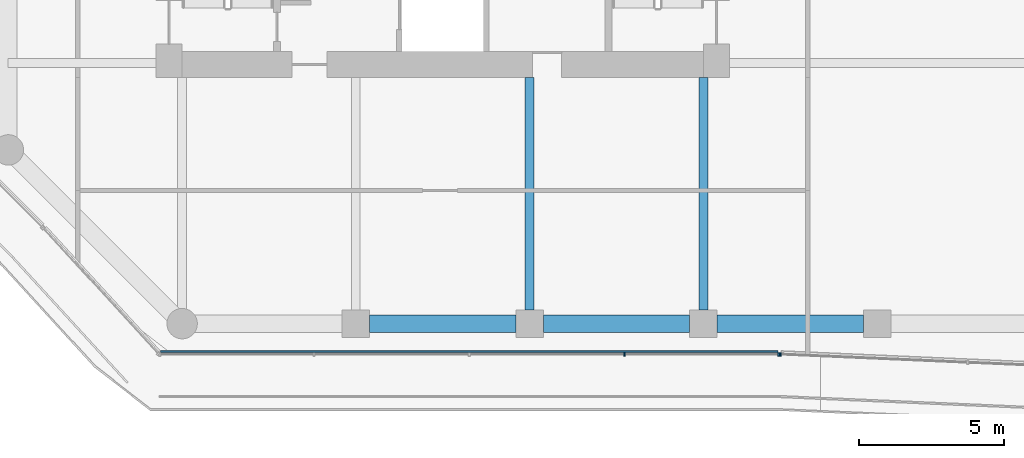
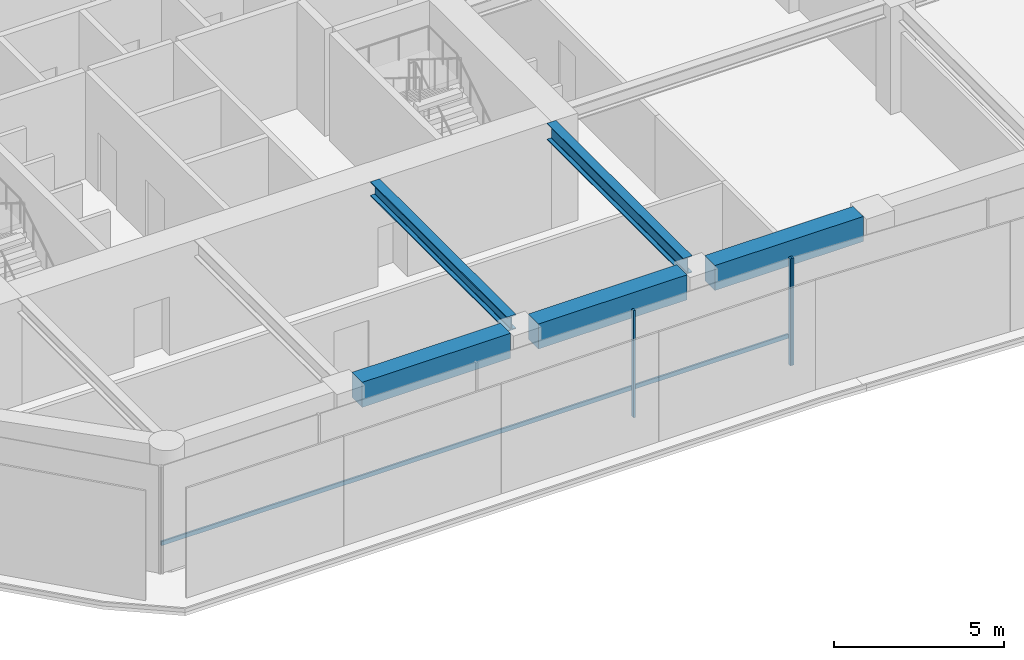
# One storey, part 3 of 29: 5 beams, 4 members, 2 elements without a shape of their own.
"""IFC4 building model written with IfcOpenShell, lengths in metres."""

from ifc_helpers import new_model, si_unit, direction, frame, origin, origin_2d, place, context, subcontext, project, spatial, rectangle, i_section, extrude, material, layer, layer_set, material_profile, profile_set, type_object, element, aggregate, save


model = new_model("IFC4")

# Units and contexts
model_context = context("Model", 3, precision=1e-05, world=origin(), true_north=direction((0.0, 1.0)))
body_context = subcontext(model_context, "Body", "Model", "MODEL_VIEW")
ifc_project = project(units=[si_unit("LENGTHUNIT", "METRE"), si_unit("AREAUNIT", "SQUARE_METRE"), si_unit("VOLUMEUNIT", "CUBIC_METRE"), si_unit("PLANEANGLEUNIT", "RADIAN"), si_unit("MASSUNIT", "GRAM", prefix="KILO")], contexts=[model_context])

# Site, building, storey
site_placement = place(None, origin())
site = spatial("IfcSite", under=ifc_project, at=site_placement, CompositionType="ELEMENT")
building_placement = place(site_placement, origin())
building = spatial("IfcBuilding", under=site, at=building_placement, Name="Welwitschia Terrace Campus", CompositionType="ELEMENT")
storey_placement = place(building_placement, frame((0.0, 0.0, 41.60009765625)))
storey = spatial("IfcBuildingStorey", under=building, at=storey_placement, Name="L09", CompositionType="ELEMENT", Elevation=41.60009765625)

# Beam
ifc_material_1 = material(Name="Steel S355", Category="steel")
ifc_material_profile_1 = material_profile(ifc_material_1, i_section(OverallWidth=0.305908203125, OverallDepth=0.52392578125, WebThickness=0.02099609375, FlangeThickness=0.0400390625, FilletRadius=0.027099609375, at=origin_2d()))
ifc_profile_set_1 = profile_set([ifc_material_profile_1], Name="Steel S355")
beam_type_1 = type_object("IfcBeamType", Name="Interior girder HE 500 M", PredefinedType="BEAM", material=ifc_profile_set_1)
beam_1_placement = place(storey_placement, frame((18.0, -3.534423828125, 3.587890625), z_axis=(0.0, 1.0, 0.0), x_axis=(-1.0, 0.0, 0.0)))
element("IfcBeam", 1, at=beam_1_placement, inside=storey, type_object=beam_type_1, Name="Girder GB2", PredefinedType="BEAM", context=body_context, shape_type="SweptSolid", body=[
    extrude(i_section(OverallWidth=0.305908203125, OverallDepth=0.52392578125, WebThickness=0.02099609375, FlangeThickness=0.0400390625, FilletRadius=0.027099609375, at=origin_2d()), origin(), (0.0, 0.0, 1.0), 8.033447265625),
])

# Curtain wall, members
ifc_material_2 = material(Name="Bronze anodised aluminium", Category="aluminium")
ifc_layer = layer(ifc_material_2, 0.1201171875)
ifc_layer_set = layer_set([ifc_layer], Name="Bronze anodised aluminium")
curtain_wall_type = type_object("IfcCurtainWallType", Name="Curtain wall CW2 tower 6000", PredefinedType="NOTDEFINED", material=ifc_layer_set)
curtain_wall_1_placement = place(storey_placement, origin())
curtain_wall_1 = element("IfcCurtainWall", 2, at=curtain_wall_1_placement, inside=storey, type_object=curtain_wall_type, Name="CW L09.3.0", PredefinedType="NOTDEFINED")
ifc_material_3 = material(Name="Bronze anodised aluminium", Category="aluminium")
ifc_material_profile_2 = material_profile(ifc_material_3, rectangle(XDim=0.1201171875, YDim=0.06005859375, at=origin_2d()))
ifc_profile_set_2 = profile_set([ifc_material_profile_2], Name="Bronze anodised aluminium")
member_type_1 = type_object("IfcMemberType", Name="Mullion 60x120", PredefinedType="MULLION", material=ifc_profile_set_2)
member_1_placement = place(storey_placement, frame((21.27001953125, -5.05810546875, 0.0), z_axis=(0.0, 0.0, 1.0), x_axis=(0.0, 1.0, 0.0)))
member_1 = element("IfcMember", 3, at=member_1_placement, type_object=member_type_1, Name="Mullion L09.3.0.3", PredefinedType="MULLION", context=body_context, shape_type="SweptSolid", body=[
    extrude(rectangle(XDim=0.1201171875, YDim=0.06005859375, at=origin_2d()), origin(), (0.0, 0.0, 1.0), 3.849853515625),
])
member_2_placement = place(storey_placement, frame((26.59814453125, -5.05810546875, 0.0), z_axis=(0.0, 0.0, 1.0), x_axis=(0.0, 1.0, 0.0)))
member_2 = element("IfcMember", 4, at=member_2_placement, type_object=member_type_1, Name="Mullion L09.3.0.4", PredefinedType="MULLION", context=body_context, shape_type="SweptSolid", body=[
    extrude(rectangle(XDim=0.1201171875, YDim=0.06005859375, at=origin_2d()), origin(), (0.0, 0.0, 1.0), 3.849853515625),
])

# Curtain wall, member
curtain_wall_2_placement = place(storey_placement, origin())
curtain_wall_2 = element("IfcCurtainWall", 5, at=curtain_wall_2_placement, inside=storey, type_object=curtain_wall_type, Name="CW L09.4.0", PredefinedType="NOTDEFINED")
member_3_placement = place(storey_placement, frame((26.658203125, -5.059326171875, 0.0), z_axis=(0.0, 0.0, 1.0), x_axis=(0.043619387365, 0.999048221582, 0.0)))
member_3 = element("IfcMember", 6, at=member_3_placement, type_object=member_type_1, Name="Mullion L09.4.0.0", PredefinedType="MULLION", context=body_context, shape_type="SweptSolid", body=[
    extrude(rectangle(XDim=0.1201171875, YDim=0.06005859375, at=origin_2d()), origin(), (0.0, 0.0, 1.0), 3.849853515625),
])
aggregate(curtain_wall_2, [member_3])

# Beams
ifc_material_4 = material(Name="Steel S355", Category="steel")
ifc_material_profile_3 = material_profile(ifc_material_4, i_section(OverallWidth=0.300048828125, OverallDepth=0.60009765625, WebThickness=0.015380859375, FlangeThickness=0.030029296875, FilletRadius=0.027099609375, at=origin_2d()))
ifc_profile_set_3 = profile_set([ifc_material_profile_3], Name="Steel S355")
beam_type_2 = type_object("IfcBeamType", Name="Primary beam HE 600 B", PredefinedType="BEAM", material=ifc_profile_set_3)
beam_2_placement = place(storey_placement, frame((24.0, -3.5244140625, 3.5498046875), z_axis=(0.0, 1.0, 0.0), x_axis=(-1.0, 0.0, 0.0)))
element("IfcBeam", 7, at=beam_2_placement, inside=storey, type_object=beam_type_2, Name="Primary beam PB2", PredefinedType="BEAM", context=body_context, shape_type="SweptSolid", body=[
    extrude(i_section(OverallWidth=0.300048828125, OverallDepth=0.60009765625, WebThickness=0.015380859375, FlangeThickness=0.030029296875, FilletRadius=0.027099609375, at=origin_2d()), origin(), (0.0, 0.0, 1.0), 8.0244140625),
])
ifc_material_5 = material(Name="Concrete C60/75", Category="concrete")
ifc_material_profile_4 = material_profile(ifc_material_5, rectangle(XDim=0.60009765625, YDim=0.89990234375, at=origin_2d()))
ifc_profile_set_4 = profile_set([ifc_material_profile_4], Name="Concrete C60/75")
beam_type_3 = type_object("IfcBeamType", Name="Ring spandrel 600x900", PredefinedType="SPANDREL", material=ifc_profile_set_4)
for number, where, z_axis, x_axis, name in (
    (8, (12.4755859375, -4.0, 3.39990234375), (1.0, 0.0, 0.0), (0.0, 1.0, 0.0), "Spandrel SP2"),
    (9, (18.4755859375, -4.0, 3.39990234375), (1.0, 0.0, 0.0), (0.0, 1.0, 0.0), "Spandrel SP2"),
    (10, (24.4755859375, -4.0, 3.39990234375), (1.0, 0.0, 0.0), (0.0, 1.0, 0.0), "Spandrel SP2"),
):
    element("IfcBeam", number, at=place(storey_placement, frame(where, z_axis=z_axis, x_axis=x_axis)), inside=storey, type_object=beam_type_3, Name=name, PredefinedType="SPANDREL", context=body_context, shape_type="SweptSolid", body=[
        extrude(rectangle(XDim=0.60009765625, YDim=0.89990234375, at=origin_2d()), origin(), (0.0, 0.0, 1.0), 5.048828125),
    ])

# Member
ifc_material_6 = material(Name="Bronze anodised aluminium", Category="aluminium")
ifc_material_profile_5 = material_profile(ifc_material_6, rectangle(XDim=0.06005859375, YDim=0.14990234375, at=origin_2d()))
ifc_profile_set_5 = profile_set([ifc_material_profile_5], Name="Bronze anodised aluminium")
member_type_2 = type_object("IfcMemberType", Name="Transom 60x150", PredefinedType="USERDEFINED", material=ifc_profile_set_5)
member_4_placement = place(storey_placement, frame((5.255615234375, -4.968017578125, 1.0), z_axis=(1.0, 0.0, 0.0), x_axis=(0.0, 1.0, 0.0)))
member_4 = element("IfcMember", 11, at=member_4_placement, type_object=member_type_2, Name="Transom L09.3.0", ObjectType="TRANSOM", PredefinedType="USERDEFINED", context=body_context, shape_type="SweptSolid", body=[
    extrude(rectangle(XDim=0.06005859375, YDim=0.14990234375, at=origin_2d()), origin(), (0.0, 0.0, 1.0), 21.3125),
])

aggregate(curtain_wall_1, [member_1, member_2, member_4])

save(model, "model.ifc")
